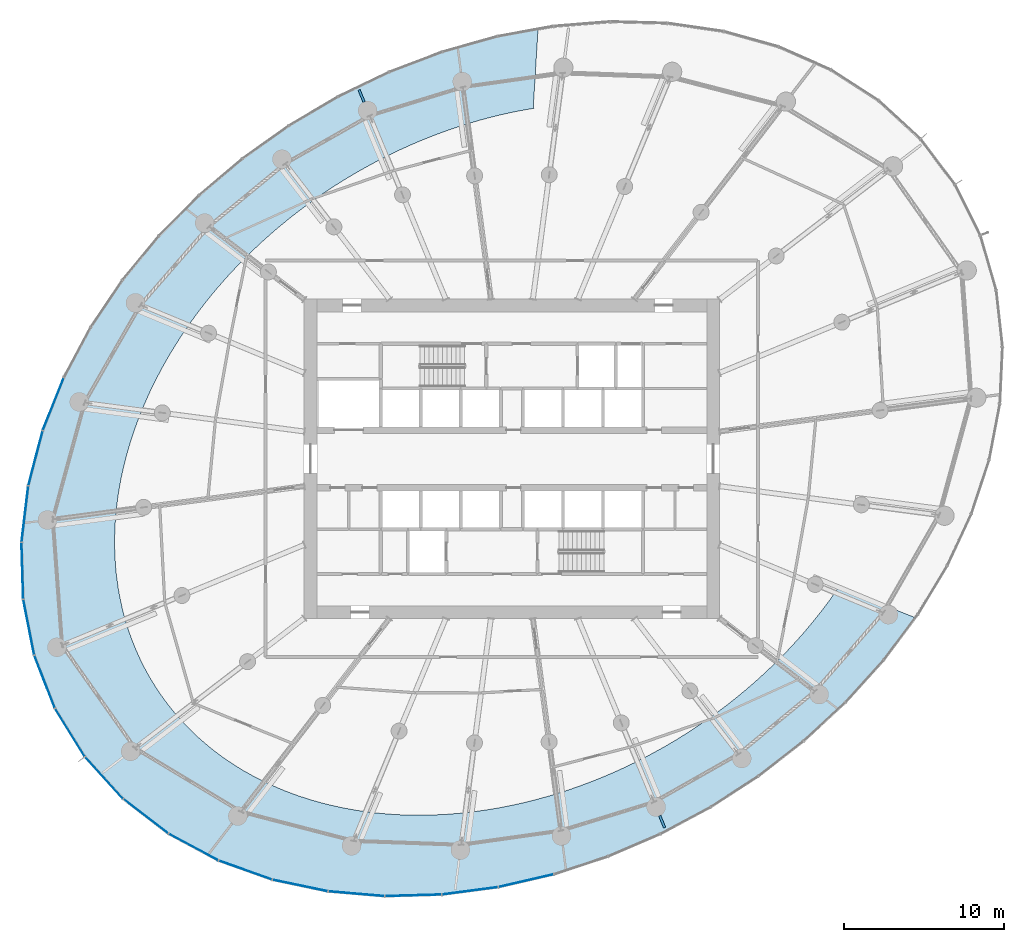
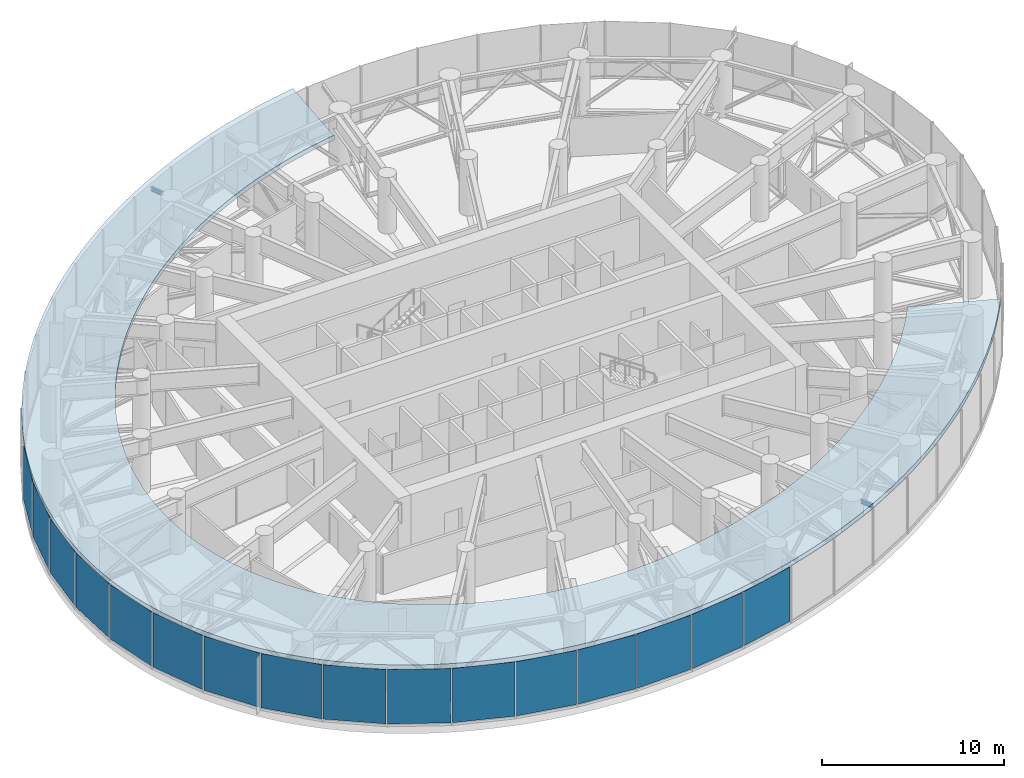
# One storey, part 13 of 33: 16 plates, 2 beams, 1 slab, 3 elements without a shape of their own.
"""IFC4 building model written with IfcOpenShell, lengths in metres."""

from ifc_helpers import new_model, si_unit, direction, frame, origin, origin_2d, place, context, subcontext, project, spatial, line, indexed_curve, rectangle, i_section, outline, extrude, source, transform, mapped, material, layer, layer_set, material_profile, profile_set, type_object, element, aggregate, save


model = new_model("IFC4")

# Units and contexts
model_context = context("Model", 3, precision=1e-05, world=origin(), true_north=direction((0.0, 1.0)))
body_context = subcontext(model_context, "Body", "Model", "MODEL_VIEW")
ifc_project = project(units=[si_unit("LENGTHUNIT", "METRE"), si_unit("AREAUNIT", "SQUARE_METRE"), si_unit("VOLUMEUNIT", "CUBIC_METRE"), si_unit("PLANEANGLEUNIT", "RADIAN"), si_unit("MASSUNIT", "GRAM", prefix="KILO")], contexts=[model_context])

# Site, building, storey
site_placement = place(None, origin())
site = spatial("IfcSite", under=ifc_project, at=site_placement, CompositionType="ELEMENT")
building_placement = place(site_placement, origin())
building = spatial("IfcBuilding", under=site, at=building_placement, Name="Spindrift Exchange Tower", CompositionType="ELEMENT")
storey_placement = place(building_placement, frame((0.0, 0.0, 129.0)))
storey = spatial("IfcBuildingStorey", under=building, at=storey_placement, Name="L30", CompositionType="ELEMENT", Elevation=129.0)

# Beams
ifc_material_1 = material(Name="Steel Grade 300", Category="steel")
ifc_material_profile = material_profile(ifc_material_1, i_section(OverallWidth=0.14599609375, OverallDepth=0.251953125, WebThickness=0.006103515625, FlangeThickness=0.008544921875, FilletRadius=0.011962890625, at=origin_2d()), Name="250UB31.4")
ifc_profile_set = profile_set([ifc_material_profile], Name="Steel Grade 300")
beam_type = type_object("IfcBeamType", Name="Cantilever Beam 250UB31.4 Steel Grade 300", PredefinedType="BEAM", material=ifc_profile_set)
shared_shape_1 = source(origin(), body_context, "Body", "SweptSolid", [
    extrude(i_section(OverallWidth=0.14599609375, OverallDepth=0.251953125, WebThickness=0.006103515625, FlangeThickness=0.008544921875, FilletRadius=0.011962890625, at=origin_2d()), origin(), (0.0, 0.0, 1.0), 0.823486328125),
])
for number, where, z_axis, x_axis, name in (
    (1, (42.75634765625, 70.31640625, 3.654052734375), (-0.382762017913, 0.923846977396, 0.0), (-0.923846977396, -0.382762017913, 0.0), "L30 cantilever beam R08T"),
    (2, (61.24365234375, 25.68359375, 3.654052734375), (0.382762017913, -0.923846977396, 0.0), (0.923846977396, 0.382762017913, 0.0), "L30 cantilever beam R20T"),
):
    element("IfcBeam", number, at=place(storey_placement, frame(where, z_axis=z_axis, x_axis=x_axis)), inside=storey, type_object=beam_type, Name=name, PredefinedType="BEAM", context=body_context, shape_type="MappedRepresentation", body=[
        mapped(shared_shape_1, transform((0.0, 0.0, 0.0), scale=1.0)),
    ])

# Slab
ifc_material_2 = material(Name="Concrete 40 MPa", Category="concrete")
ifc_layer_1 = layer(ifc_material_2, 0.320068359375)
ifc_layer_set_1 = layer_set([ifc_layer_1], Name="RC Ledge Roof Slab 320 Concrete 40 MPa")
slab_type = type_object("IfcSlabType", Name="RC Ledge Roof Slab 320 Concrete 40 MPa", PredefinedType="ROOF", material=ifc_layer_set_1)
slab_placement = place(storey_placement, frame((0.0, 0.0, 3.780029296875)))
element("IfcSlab", 3, at=slab_placement, inside=storey, type_object=slab_type, Name="Setback ledge roof L31", PredefinedType="ROOF", context=body_context, shape_type="SweptSolid", body=[
    extrude(outline(indexed_curve([(77.27294921875, 38.093994140625), (76.65966796875, 37.22314453125), (76.0546875, 36.414306640625), (75.743896484375, 36.015625), (75.10595703125, 35.230712890625), (74.779296875, 34.844970703125), (74.111572265625, 34.086181640625), (73.42431640625, 33.344970703125), (72.71875, 32.621826171875), (72.358642578125, 32.266357421875), (71.62646484375, 31.5703125), (71.253662109375, 31.22900390625), (70.876220703125, 30.891845703125), (70.110595703125, 30.232666015625), (69.328369140625, 29.591796875), (68.531494140625, 28.970703125), (68.126953125, 28.666748046875), (67.71923828125, 28.3681640625), (66.8935546875, 27.785888671875), (66.474853515625, 27.501708984375), (65.62890625, 26.94970703125), (65.2001953125, 26.6806640625), (64.3349609375, 26.1591796875), (63.45654296875, 25.657958984375), (63.01318359375, 25.415283203125), (62.118408203125, 24.9462890625), (61.2119140625, 24.498779296875), (60.295166015625, 24.072998046875), (59.832275390625, 23.868408203125), (58.901123046875, 23.476806640625), (58.431640625, 23.28955078125), (57.4853515625, 22.93212890625), (56.53173828125, 22.598876953125), (56.051513671875, 22.441162109375), (55.56884765625, 22.289306640625), (54.599609375, 22.004638671875), (53.6220703125, 21.744873046875), (52.639404296875, 21.510986328125), (52.1455078125, 21.40380859375), (51.153564453125, 21.208984375), (50.156005859375, 21.04150390625), (49.155517578125, 20.90185546875), (48.65283203125, 20.842529296875), (48.150146484375, 20.790283203125), (47.1435546875, 20.7080078125), (46.134033203125, 20.6552734375), (45.6279296875, 20.640380859375), (44.617919921875, 20.633544921875), (43.607421875, 20.658447265625), (42.597412109375, 20.715576171875), (41.5908203125, 20.805908203125), (40.58837890625, 20.929931640625), (40.088623046875, 21.005126953125), (39.09326171875, 21.181640625), (38.10400390625, 21.394287109375), (37.12451171875, 21.643310546875), (36.156005859375, 21.92919921875), (35.67578125, 22.08642578125), (35.19873046875, 22.25341796875), (34.72509765625, 22.429931640625), (34.255126953125, 22.6162109375), (33.788330078125, 22.8125), (33.32666015625, 23.018310546875), (32.86962890625, 23.23388671875), (32.418212890625, 23.458984375), (31.97119140625, 23.6943359375), (31.529296875, 23.939697265625), (31.093017578125, 24.195068359375), (30.662841796875, 24.460205078125), (30.23876953125, 24.735595703125), (29.8203125, 25.02099609375), (29.409912109375, 25.31591796875), (29.007568359375, 25.619873046875), (28.61181640625, 25.93408203125), (28.222900390625, 26.2587890625), (27.843017578125, 26.59228515625), (27.4716796875, 26.93505859375), (27.109130859375, 27.287109375), (26.75537109375, 27.648193359375), (26.4111328125, 28.018310546875), (26.076416015625, 28.397216796875), (25.751708984375, 28.7841796875), (25.43701171875, 29.1796875), (25.1328125, 29.58349609375), (24.839111328125, 29.994873046875), (24.556396484375, 30.413818359375), (24.284912109375, 30.840087890625), (24.0244140625, 31.273193359375), (23.775390625, 31.712890625), (23.5380859375, 32.1591796875), (23.31298828125, 32.6103515625), (23.0986328125, 33.0693359375), (22.896728515625, 33.53271484375), (22.706787109375, 34.001220703125), (22.529296875, 34.474365234375), (22.363525390625, 34.951904296875), (22.210205078125, 35.433349609375), (22.069091796875, 35.91748046875), (21.93994140625, 36.406005859375), (21.822998046875, 36.897705078125), (21.718017578125, 37.39208984375), (21.625, 37.888916015625), (21.5439453125, 38.3876953125), (21.474853515625, 38.888427734375), (21.41748046875, 39.390625), (21.371826171875, 39.895263671875), (21.337646484375, 40.398193359375), (21.31494140625, 40.9033203125), (21.3037109375, 41.40869140625), (21.30322265625, 41.9150390625), (21.31396484375, 42.42041015625), (21.33544921875, 42.92529296875), (21.367919921875, 43.4287109375), (21.410400390625, 43.932373046875), (21.46337890625, 44.434814453125), (21.526611328125, 44.936279296875), (21.60009765625, 45.4375), (21.68310546875, 45.93603515625), (21.878173828125, 46.927734375), (21.98974609375, 47.420654296875), (22.239990234375, 48.399169921875), (22.378662109375, 48.885986328125), (22.68115234375, 49.849609375), (23.017333984375, 50.8037109375), (23.197509765625, 51.276123046875), (23.580810546875, 52.211181640625), (23.783935546875, 52.67431640625), (24.211669921875, 53.589111328125), (24.43701171875, 54.04248046875), (24.90673828125, 54.9365234375), (25.404296875, 55.8173828125), (25.9267578125, 56.681884765625), (26.197998046875, 57.109130859375), (26.474609375, 57.531982421875), (27.045654296875, 58.365478515625), (27.34033203125, 58.77685546875), (27.94580078125, 59.58642578125), (28.572265625, 60.378662109375), (28.893798828125, 60.768798828125), (29.220703125, 61.155029296875), (29.88818359375, 61.913330078125), (30.5751953125, 62.65478515625), (30.926025390625, 63.018798828125), (31.281494140625, 63.378662109375), (32.005615234375, 64.083984375), (32.3740234375, 64.43017578125), (33.123291015625, 65.10791015625), (33.889404296875, 65.767333984375), (34.2783203125, 66.08984375), (34.671630859375, 66.408203125), (35.46875, 67.02978515625), (35.873046875, 67.333251953125), (36.692138671875, 67.925537109375), (37.52490234375, 68.497802734375), (38.37109375, 69.05029296875), (38.7998046875, 69.3193359375), (39.6650390625, 69.8408203125), (40.10302734375, 70.09423828125), (40.98681640625, 70.584716796875), (41.881591796875, 71.0537109375), (42.33349609375, 71.2802734375), (42.78857421875, 71.50146484375), (43.70556640625, 71.927001953125), (44.167724609375, 72.131591796875), (45.099609375, 72.523193359375), (46.0400390625, 72.891845703125), (46.5146484375, 73.06787109375), (47.46826171875, 73.401123046875), (47.948486328125, 73.558837890625), (48.43115234375, 73.710693359375), (49.40087890625, 73.99560546875), (50.377197265625, 74.2548828125), (50.8681640625, 74.375244140625), (51.361328125, 74.4892578125), (52.349853515625, 74.697021484375), (52.84716796875, 74.791015625), (53.6796875, 74.93212890625), (53.650634765625, 74.916259765625), (53.6376953125, 74.8857421875), (53.339111328125, 69.98388671875), (53.35546875, 69.94384765625), (53.39697265625, 69.931396484375), (52.4033203125, 69.755126953125), (51.60009765625, 69.586669921875), (50.802001953125, 69.396728515625), (50.008544921875, 69.185791015625), (49.2216796875, 68.95458984375), (48.440185546875, 68.702880859375), (48.052001953125, 68.56982421875), (47.28125, 68.289306640625), (46.517578125, 67.9892578125), (45.761474609375, 67.67041015625), (45.01318359375, 67.33349609375), (44.2734375, 66.97802734375), (43.54248046875, 66.605224609375), (42.463623046875, 66.013427734375), (41.75634765625, 65.597412109375), (41.05908203125, 65.16455078125), (40.372314453125, 64.715087890625), (39.363037109375, 64.010986328125), (38.70458984375, 63.521484375), (38.057861328125, 63.016357421875), (37.423583984375, 62.49560546875), (37.111083984375, 62.2294921875), (36.49658203125, 61.686279296875), (35.895263671875, 61.1279296875), (35.307861328125, 60.5546875), (34.735107421875, 59.96728515625), (34.17724609375, 59.364990234375), (33.635498046875, 58.749267578125), (33.370361328125, 58.43603515625), (32.8525390625, 57.79931640625), (32.352294921875, 57.149169921875), (31.869140625, 56.485595703125), (31.40478515625, 55.80908203125), (30.959716796875, 55.11962890625), (30.5341796875, 54.41796875), (30.12939453125, 53.7041015625), (29.746337890625, 52.97900390625), (29.38525390625, 52.2421875), (29.21337890625, 51.869140625), (28.887451171875, 51.1162109375), (28.586181640625, 50.353515625), (28.310546875, 49.58056640625), (28.182373046875, 49.190185546875), (27.947021484375, 48.404296875), (27.73974609375, 47.61083984375), (27.5615234375, 46.809814453125), (27.48388671875, 46.406494140625), (27.351806640625, 45.5966796875), (27.25146484375, 44.78271484375), (27.1845703125, 43.965087890625), (27.163818359375, 43.555419921875), (27.148193359375, 42.734375), (27.16845703125, 41.914794921875), (27.225341796875, 41.09619140625), (27.267578125, 40.68798828125), (27.381103515625, 39.87548828125), (27.4521484375, 39.470703125), (27.623046875, 38.6689453125), (27.72314453125, 38.27099609375), (27.83349609375, 37.875), (27.953369140625, 37.48291015625), (28.0830078125, 37.093505859375), (28.222412109375, 36.707763671875), (28.37158203125, 36.326171875), (28.531005859375, 35.947509765625), (28.69970703125, 35.573486328125), (28.878173828125, 35.2041015625), (29.066162109375, 34.83935546875), (29.26318359375, 34.480224609375), (29.469970703125, 34.125732421875), (29.686279296875, 33.7763671875), (29.911376953125, 33.433349609375), (30.14501953125, 33.096923828125), (30.3876953125, 32.76611328125), (30.638916015625, 32.44189453125), (30.8984375, 32.1240234375), (31.166259765625, 31.81298828125), (31.442138671875, 31.5087890625), (31.72509765625, 31.21240234375), (32.01611328125, 30.923095703125), (32.314697265625, 30.640869140625), (32.61962890625, 30.36669921875), (32.931640625, 30.10009765625), (33.25, 29.84130859375), (33.57421875, 29.590576171875), (33.90478515625, 29.34765625), (34.241455078125, 29.1123046875), (34.930419921875, 28.66650390625), (35.2822265625, 28.455810546875), (36.00048828125, 28.058837890625), (36.735107421875, 27.6943359375), (37.485595703125, 27.36181640625), (37.86572265625, 27.207763671875), (38.635498046875, 26.92333984375), (39.41552734375, 26.67041015625), (40.20556640625, 26.448486328125), (40.60400390625, 26.3486328125), (41.4052734375, 26.172119140625), (42.2119140625, 26.02490234375), (43.02392578125, 25.906494140625), (43.431884765625, 25.85791015625), (44.248779296875, 25.781494140625), (45.0673828125, 25.732421875), (45.8876953125, 25.7099609375), (46.29833984375, 25.70849609375), (47.118896484375, 25.724609375), (47.93798828125, 25.765869140625), (48.755859375, 25.831298828125), (49.571533203125, 25.9208984375), (50.38427734375, 26.033447265625), (51.193603515625, 26.1689453125), (51.999267578125, 26.326416015625), (52.799560546875, 26.505615234375), (53.595703125, 26.7060546875), (54.385986328125, 26.92724609375), (55.169677734375, 27.168701171875), (55.559814453125, 27.297119140625), (56.334228515625, 27.568115234375), (57.101806640625, 27.858642578125), (57.86181640625, 28.16796875), (58.61376953125, 28.49560546875), (58.98681640625, 28.66650390625), (59.7265625, 29.02197265625), (60.45751953125, 29.394775390625), (61.536376953125, 29.986572265625), (62.24365234375, 30.402587890625), (62.941162109375, 30.835693359375), (63.966796875, 31.515380859375), (64.636962890625, 31.989013671875), (65.29541015625, 32.478515625), (65.942138671875, 32.983642578125), (66.576416015625, 33.50439453125), (67.197998046875, 34.040283203125), (67.805908203125, 34.59130859375), (68.400390625, 35.156982421875), (68.980224609375, 35.7373046875), (69.264892578125, 36.03271484375), (69.822509765625, 36.634765625), (70.364501953125, 37.250732421875), (70.890625, 37.880615234375), (71.39990234375, 38.524169921875), (71.8916015625, 39.18115234375), (72.470947265625, 40.007568359375), (72.464599609375, 39.964599609375), (72.494140625, 39.93310546875), (77.213134765625, 38.075439453125), (77.246337890625, 38.07421875)], segments=[line(1, 2, 3, 4, 5, 6, 7, 8, 9, 10, 11, 12, 13, 14, 15, 16, 17, 18, 19, 20, 21, 22, 23, 24, 25, 26, 27, 28, 29, 30, 31, 32, 33, 34, 35, 36, 37, 38, 39, 40, 41, 42, 43, 44, 45, 46, 47, 48, 49, 50, 51, 52, 53, 54, 55, 56, 57, 58, 59, 60, 61, 62, 63, 64, 65, 66, 67, 68, 69, 70, 71, 72, 73, 74, 75, 76, 77, 78, 79, 80, 81, 82, 83, 84, 85, 86, 87, 88, 89, 90, 91, 92, 93, 94, 95, 96, 97, 98, 99, 100, 101, 102, 103, 104, 105, 106, 107, 108, 109, 110, 111, 112, 113, 114, 115, 116, 117, 118, 119, 120, 121, 122, 123, 124, 125, 126, 127, 128, 129, 130, 131, 132, 133, 134, 135, 136, 137, 138, 139, 140, 141, 142, 143, 144, 145, 146, 147, 148, 149, 150, 151, 152, 153, 154, 155, 156, 157, 158, 159, 160, 161, 162, 163, 164, 165, 166, 167, 168, 169, 170, 171, 172, 173, 174, 175, 176, 177, 178, 179, 180, 181, 182, 183, 184, 185, 186, 187, 188, 189, 190, 191, 192, 193, 194, 195, 196, 197, 198, 199, 200, 201, 202, 203, 204, 205, 206, 207, 208, 209, 210, 211, 212, 213, 214, 215, 216, 217, 218, 219, 220, 221, 222, 223, 224, 225, 226, 227, 228, 229, 230, 231, 232, 233, 234, 235, 236, 237, 238, 239, 240, 241, 242, 243, 244, 245, 246, 247, 248, 249, 250, 251, 252, 253, 254, 255, 256, 257, 258, 259, 260, 261, 262, 263, 264, 265, 266, 267, 268, 269, 270, 271, 272, 273, 274, 275, 276, 277, 278, 279, 280, 281, 282, 283, 284, 285, 286, 287, 288, 289, 290, 291, 292, 293, 294, 295, 296, 297, 298, 299, 300, 301, 302, 303, 304, 305, 306, 307, 308, 309, 310, 311, 312, 313, 314, 315, 316, 317, 318, 319, 320, 321, 322, 323, 324, 325, 326, 327, 328, 329, 1)], self_intersect=False)), origin(), (0.0, 0.0, 1.0), 0.320068359375),
])

# Curtain wall, plate
ifc_material_3 = material(Name="Fritted laminated glass with bronze frame", Category="glass")
ifc_layer_2 = layer(ifc_material_3, 0.18994140625)
ifc_layer_set_2 = layer_set([ifc_layer_2], Name="ZONE 2 BRONZE FRITTED WALL")
curtain_wall_type = type_object("IfcCurtainWallType", Name="ZONE 2 BRONZE FRITTED WALL", PredefinedType="NOTDEFINED", material=ifc_layer_set_2)
curtain_wall_1_placement = place(storey_placement, origin())
curtain_wall_1 = element("IfcCurtainWall", 4, at=curtain_wall_1_placement, inside=storey, type_object=curtain_wall_type, Name="L30 Zone 2 Bronze Fritted Wall run 5", PredefinedType="NOTDEFINED")
ifc_material_4 = material(Name="Bronze fritted laminated glass, dense frit", Category="glass")
ifc_layer_3 = layer(ifc_material_4, 0.033935546875)
ifc_layer_set_3 = layer_set([ifc_layer_3], Name="ZONE 2 BRONZE FRITTED WALL PANEL DENSE FRIT 180")
plate_type_1 = type_object("IfcPlateType", Name="ZONE 2 BRONZE FRITTED WALL PANEL DENSE FRIT 180", PredefinedType="CURTAIN_PANEL", material=ifc_layer_set_3)
shared_shape_2 = source(origin(), body_context, "Body", "SweptSolid", [
    extrude(rectangle(XDim=3.48779296875, YDim=0.033935546875, at=origin_2d()), origin(), (0.0, 0.0, 1.0), 3.639892578125),
])
plate_1_placement = place(storey_placement, frame((24.355224609375, 30.8828125, 0.14013671875), z_axis=(0.0, 0.0, 1.0), x_axis=(0.526457301809, -0.850201569848, 0.0)))
plate_1 = element("IfcPlate", 5, at=plate_1_placement, type_object=plate_type_1, Name="L30 panel CW-2.26", PredefinedType="CURTAIN_PANEL", context=body_context, shape_type="MappedRepresentation", body=[
    mapped(shared_shape_2, transform((0.0, 0.0, 0.0), scale=1.0)),
])

# Curtain wall, plates
curtain_wall_2_placement = place(storey_placement, origin())
curtain_wall_2 = element("IfcCurtainWall", 6, at=curtain_wall_2_placement, inside=storey, type_object=curtain_wall_type, Name="L30 Zone 2 Bronze Fritted Wall run 6", PredefinedType="NOTDEFINED")
shared_shape_3 = source(origin(), body_context, "Body", "SweptSolid", [
    extrude(rectangle(XDim=3.4912109375, YDim=0.033935546875, at=origin_2d()), origin(), (0.0, 0.0, 1.0), 3.639892578125),
])
plate_2_placement = place(storey_placement, frame((49.385498046875, 20.97607421875, 0.14013671875), z_axis=(0.0, 0.0, 1.0), x_axis=(0.991429819258, 0.130640397603, 0.0)))
plate_2 = element("IfcPlate", 7, at=plate_2_placement, type_object=plate_type_1, Name="L30 panel CW-2.34", PredefinedType="CURTAIN_PANEL", context=body_context, shape_type="MappedRepresentation", body=[
    mapped(shared_shape_3, transform((0.0, 0.0, 0.0), scale=1.0)),
])
ifc_layer_4 = layer(ifc_material_4, 0.033935546875)
ifc_layer_set_4 = layer_set([ifc_layer_4], Name="ZONE 2 BRONZE FRITTED WALL PANEL DENSE FRIT 420")
plate_type_2 = type_object("IfcPlateType", Name="ZONE 2 BRONZE FRITTED WALL PANEL DENSE FRIT 420", PredefinedType="CURTAIN_PANEL", material=ifc_layer_set_4)
shared_shape_4 = source(origin(), body_context, "Body", "SweptSolid", [
    extrude(rectangle(XDim=3.491455078125, YDim=0.033935546875, at=origin_2d()), origin(), (0.0, 0.0, 1.0), 3.639892578125),
])
plate_3_placement = place(storey_placement, frame((52.890380859375, 21.61083984375, 0.14013671875), z_axis=(0.0, 0.0, 1.0), x_axis=(0.974283617955, 0.225325168999, 0.0)))
plate_3 = element("IfcPlate", 8, at=plate_3_placement, type_object=plate_type_2, Name="L30 panel CW-2.35", PredefinedType="CURTAIN_PANEL", context=body_context, shape_type="MappedRepresentation", body=[
    mapped(shared_shape_4, transform((0.0, 0.0, 0.0), scale=1.0)),
])

# Curtain wall, plate
curtain_wall_3_placement = place(storey_placement, origin())
curtain_wall_3 = element("IfcCurtainWall", 9, at=curtain_wall_3_placement, inside=storey, type_object=curtain_wall_type, Name="L30 Zone 2 Bronze Fritted Wall run 4", PredefinedType="NOTDEFINED")
ifc_layer_5 = layer(ifc_material_4, 0.033935546875)
ifc_layer_set_5 = layer_set([ifc_layer_5], Name="ZONE 2 BRONZE FRITTED WALL PANEL DENSE FRIT 300")
plate_type_3 = type_object("IfcPlateType", Name="ZONE 2 BRONZE FRITTED WALL PANEL DENSE FRIT 300", PredefinedType="CURTAIN_PANEL", material=ifc_layer_set_5)
shared_shape_5 = source(origin(), body_context, "Body", "SweptSolid", [
    extrude(rectangle(XDim=3.49072265625, YDim=0.033935546875, at=origin_2d()), origin(), (0.0, 0.0, 1.0), 3.639892578125),
])
plate_4_placement = place(storey_placement, frame((23.31103515625, 51.42236328125, 0.14013671875), z_axis=(0.0, 0.0, 1.0), x_axis=(-0.369044480658, -0.929411733999, 0.0)))
plate_4 = element("IfcPlate", 10, at=plate_4_placement, type_object=plate_type_3, Name="L30 panel CW-2.20", PredefinedType="CURTAIN_PANEL", context=body_context, shape_type="MappedRepresentation", body=[
    mapped(shared_shape_5, transform((0.0, 0.0, 0.0), scale=1.0)),
])

# Plate
plate_5_placement = place(storey_placement, frame((42.276123046875, 20.793212890625, 0.14013671875), z_axis=(0.0, 0.0, 1.0), x_axis=(0.996473261915, -0.083910894932, 0.0)))
plate_5 = element("IfcPlate", 11, at=plate_5_placement, type_object=plate_type_3, Name="L30 panel CW-2.32", PredefinedType="CURTAIN_PANEL", context=body_context, shape_type="MappedRepresentation", body=[
    mapped(shared_shape_5, transform((0.0, 0.0, 0.0), scale=1.0)),
])

shared_shape_6 = source(origin(), body_context, "Body", "SweptSolid", [
    extrude(rectangle(XDim=3.490234375, YDim=0.033935546875, at=origin_2d()), origin(), (0.0, 0.0, 1.0), 3.639892578125),
])
plate_6_placement = place(storey_placement, frame((22.203125, 48.04052734375, 0.14013671875), z_axis=(0.0, 0.0, 1.0), x_axis=(-0.252435846889, -0.967613633226, 0.0)))
plate_6 = element("IfcPlate", 12, at=plate_6_placement, type_object=plate_type_2, Name="L30 panel CW-2.21", PredefinedType="CURTAIN_PANEL", context=body_context, shape_type="MappedRepresentation", body=[
    mapped(shared_shape_6, transform((0.0, 0.0, 0.0), scale=1.0)),
])

shared_shape_7 = source(origin(), body_context, "Body", "SweptSolid", [
    extrude(rectangle(XDim=3.48974609375, YDim=0.033935546875, at=origin_2d()), origin(), (0.0, 0.0, 1.0), 3.639892578125),
])
plate_7_placement = place(storey_placement, frame((21.54052734375, 44.5458984375, 0.14013671875), z_axis=(0.0, 0.0, 1.0), x_axis=(-0.119251387385, -0.992864092717, 0.0)))
plate_7 = element("IfcPlate", 13, at=plate_7_placement, type_object=plate_type_1, Name="L30 panel CW-2.22", PredefinedType="CURTAIN_PANEL", context=body_context, shape_type="MappedRepresentation", body=[
    mapped(shared_shape_7, transform((0.0, 0.0, 0.0), scale=1.0)),
])

shared_shape_8 = source(origin(), body_context, "Body", "SweptSolid", [
    extrude(rectangle(XDim=3.489013671875, YDim=0.033935546875, at=origin_2d()), origin(), (0.0, 0.0, 1.0), 3.639892578125),
])
plate_8_placement = place(storey_placement, frame((21.382080078125, 40.9951171875, 0.14013671875), z_axis=(0.0, 0.0, 1.0), x_axis=(0.030386740035, -0.999538216393, 0.0)))
plate_8 = element("IfcPlate", 14, at=plate_8_placement, type_object=plate_type_2, Name="L30 panel CW-2.23", PredefinedType="CURTAIN_PANEL", context=body_context, shape_type="MappedRepresentation", body=[
    mapped(shared_shape_8, transform((0.0, 0.0, 0.0), scale=1.0)),
])

shared_shape_9 = source(origin(), body_context, "Body", "SweptSolid", [
    extrude(rectangle(XDim=3.48828125, YDim=0.033935546875, at=origin_2d()), origin(), (0.0, 0.0, 1.0), 3.639892578125),
])
plate_9_placement = place(storey_placement, frame((21.781005859375, 37.4658203125, 0.14013671875), z_axis=(0.0, 0.0, 1.0), x_axis=(0.193438165617, -0.981112468621, 0.0)))
plate_9 = element("IfcPlate", 15, at=plate_9_placement, type_object=plate_type_2, Name="L30 panel CW-2.24", PredefinedType="CURTAIN_PANEL", context=body_context, shape_type="MappedRepresentation", body=[
    mapped(shared_shape_9, transform((0.0, 0.0, 0.0), scale=1.0)),
])

aggregate(curtain_wall_3, [plate_4, plate_6, plate_7, plate_8, plate_9])

shared_shape_10 = source(origin(), body_context, "Body", "SweptSolid", [
    extrude(rectangle(XDim=3.48779296875, YDim=0.033935546875, at=origin_2d()), origin(), (0.0, 0.0, 1.0), 3.639892578125),
])
plate_10_placement = place(storey_placement, frame((22.771484375, 34.0576171875, 0.14013671875), z_axis=(0.0, 0.0, 1.0), x_axis=(0.362542142301, -0.931967378751, 0.0)))
plate_10 = element("IfcPlate", 16, at=plate_10_placement, type_object=plate_type_3, Name="L30 panel CW-2.25", PredefinedType="CURTAIN_PANEL", context=body_context, shape_type="MappedRepresentation", body=[
    mapped(shared_shape_10, transform((0.0, 0.0, 0.0), scale=1.0)),
])

shared_shape_11 = source(origin(), body_context, "Body", "SweptSolid", [
    extrude(rectangle(XDim=3.48779296875, YDim=0.033935546875, at=origin_2d()), origin(), (0.0, 0.0, 1.0), 3.639892578125),
])
plate_11_placement = place(storey_placement, frame((26.4912109375, 28.050048828125, 0.14013671875), z_axis=(0.0, 0.0, 1.0), x_axis=(0.672653564163, -0.739957554606, 0.0)))
plate_11 = element("IfcPlate", 17, at=plate_11_placement, type_object=plate_type_2, Name="L30 panel CW-2.27", PredefinedType="CURTAIN_PANEL", context=body_context, shape_type="MappedRepresentation", body=[
    mapped(shared_shape_11, transform((0.0, 0.0, 0.0), scale=1.0)),
])

shared_shape_12 = source(origin(), body_context, "Body", "SweptSolid", [
    extrude(rectangle(XDim=3.48828125, YDim=0.033935546875, at=origin_2d()), origin(), (0.0, 0.0, 1.0), 3.639892578125),
])
plate_12_placement = place(storey_placement, frame((29.1005859375, 25.644287109375, 0.14013671875), z_axis=(0.0, 0.0, 1.0), x_axis=(0.792040389703, -0.610468689679, 0.0)))
plate_12 = element("IfcPlate", 18, at=plate_12_placement, type_object=plate_type_1, Name="L30 panel CW-2.28", PredefinedType="CURTAIN_PANEL", context=body_context, shape_type="MappedRepresentation", body=[
    mapped(shared_shape_12, transform((0.0, 0.0, 0.0), scale=1.0)),
])

shared_shape_13 = source(origin(), body_context, "Body", "SweptSolid", [
    extrude(rectangle(XDim=3.489013671875, YDim=0.033935546875, at=origin_2d()), origin(), (0.0, 0.0, 1.0), 3.639892578125),
])
plate_13_placement = place(storey_placement, frame((32.082275390625, 23.714111328125, 0.14013671875), z_axis=(0.0, 0.0, 1.0), x_axis=(0.88121353764, -0.472718416269, 0.0)))
plate_13 = element("IfcPlate", 19, at=plate_13_placement, type_object=plate_type_3, Name="L30 panel CW-2.29", PredefinedType="CURTAIN_PANEL", context=body_context, shape_type="MappedRepresentation", body=[
    mapped(shared_shape_13, transform((0.0, 0.0, 0.0), scale=1.0)),
])

shared_shape_14 = source(origin(), body_context, "Body", "SweptSolid", [
    extrude(rectangle(XDim=3.48974609375, YDim=0.033935546875, at=origin_2d()), origin(), (0.0, 0.0, 1.0), 3.639892578125),
])
plate_14_placement = place(storey_placement, frame((35.33154296875, 22.273193359375, 0.14013671875), z_axis=(0.0, 0.0, 1.0), x_axis=(0.941938542554, -0.335785321376, 0.0)))
plate_14 = element("IfcPlate", 20, at=plate_14_placement, type_object=plate_type_3, Name="L30 panel CW-2.30", PredefinedType="CURTAIN_PANEL", context=body_context, shape_type="MappedRepresentation", body=[
    mapped(shared_shape_14, transform((0.0, 0.0, 0.0), scale=1.0)),
])

aggregate(curtain_wall_1, [plate_10, plate_1, plate_11, plate_12, plate_13, plate_14])

shared_shape_15 = source(origin(), body_context, "Body", "SweptSolid", [
    extrude(rectangle(XDim=3.490234375, YDim=0.033935546875, at=origin_2d()), origin(), (0.0, 0.0, 1.0), 3.639892578125),
])
plate_15_placement = place(storey_placement, frame((38.7548828125, 21.30859375, 0.14013671875), z_axis=(0.0, 0.0, 1.0), x_axis=(0.97869035157, -0.205341656134, 0.0)))
plate_15 = element("IfcPlate", 21, at=plate_15_placement, type_object=plate_type_3, Name="L30 panel CW-2.31", PredefinedType="CURTAIN_PANEL", context=body_context, shape_type="MappedRepresentation", body=[
    mapped(shared_shape_15, transform((0.0, 0.0, 0.0), scale=1.0)),
])

shared_shape_16 = source(origin(), body_context, "Body", "SweptSolid", [
    extrude(rectangle(XDim=3.4912109375, YDim=0.033935546875, at=origin_2d()), origin(), (0.0, 0.0, 1.0), 3.639892578125),
])
plate_16_placement = place(storey_placement, frame((45.835205078125, 20.693359375, 0.14013671875), z_axis=(0.0, 0.0, 1.0), x_axis=(0.99960987134, 0.027930361966, 0.0)))
plate_16 = element("IfcPlate", 22, at=plate_16_placement, type_object=plate_type_2, Name="L30 panel CW-2.33", PredefinedType="CURTAIN_PANEL", context=body_context, shape_type="MappedRepresentation", body=[
    mapped(shared_shape_16, transform((0.0, 0.0, 0.0), scale=1.0)),
])

aggregate(curtain_wall_2, [plate_15, plate_5, plate_16, plate_2, plate_3])

save(model, "model.ifc")
